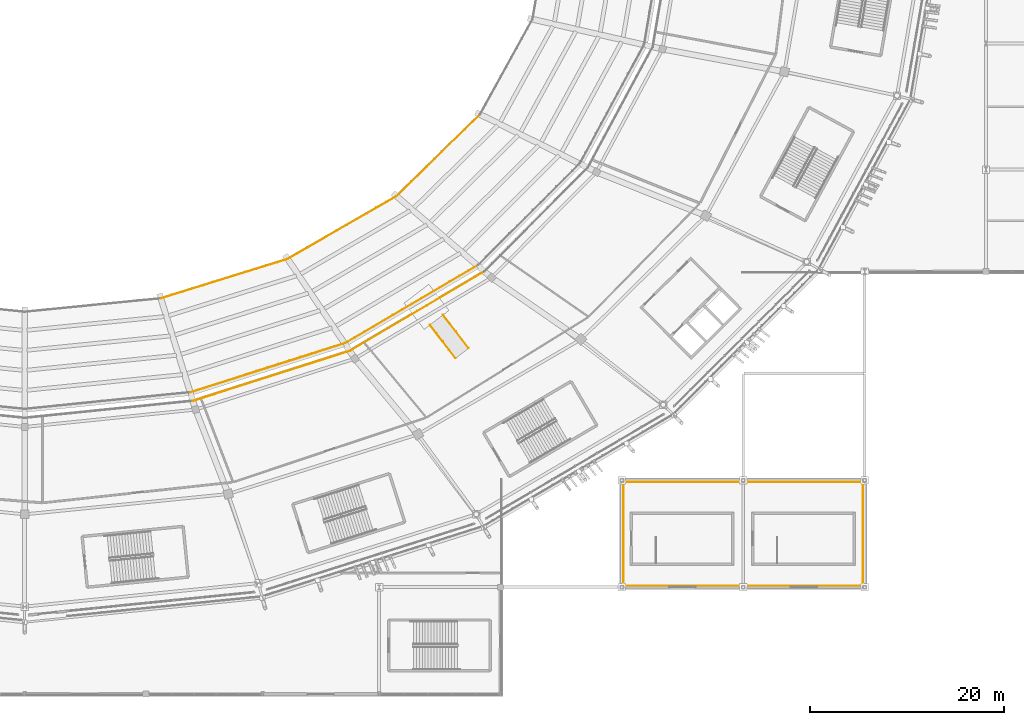
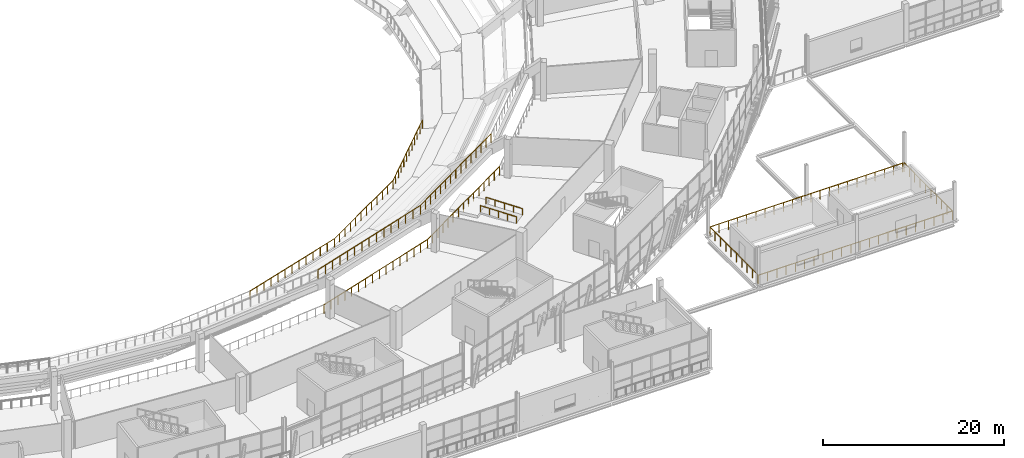
# One storey, part 161 of 178: 11 railings.
"""IFC4 building model written with IfcOpenShell, lengths in metres."""

from ifc_helpers import new_model, si_unit, direction, frame, origin, origin_2d, place, context, subcontext, project, spatial, rectangle, extrude, material, type_object, element, save


model = new_model("IFC4")

# Units and contexts
model_context = context("Model", 3, precision=1e-05, world=origin(), true_north=direction((0.0, 1.0)))
body_context = subcontext(model_context, "Body", "Model", "MODEL_VIEW")
ifc_project = project(units=[si_unit("LENGTHUNIT", "METRE"), si_unit("AREAUNIT", "SQUARE_METRE"), si_unit("VOLUMEUNIT", "CUBIC_METRE"), si_unit("PLANEANGLEUNIT", "RADIAN"), si_unit("MASSUNIT", "GRAM", prefix="KILO")], contexts=[model_context])

# Site, building, storey
site_placement = place(None, origin())
site = spatial("IfcSite", under=ifc_project, at=site_placement, CompositionType="ELEMENT")
building_placement = place(site_placement, origin())
building = spatial("IfcBuilding", under=site, at=building_placement, Name="Zlatoyarsky Gate Stadium", CompositionType="ELEMENT")
storey_placement = place(building_placement, frame((0.0, 0.0, 5.39990234375)))
storey = spatial("IfcBuildingStorey", under=building, at=storey_placement, Name="L01", CompositionType="ELEMENT", Elevation=5.39990234375)

# Railings
ifc_material_1 = material(Name="Galvanised steel sightline guardrail", Category="steel")
railing_type_1 = type_object("IfcRailingType", Name="BOWL FRONT SIGHTLINE GUARDRAIL 1150", PredefinedType="GUARDRAIL", material=ifc_material_1)
railing_1_placement = place(storey_placement, frame((125.01513671875, 40.735107421875, -3.349853515625)))
element("IfcRailing", 1, at=railing_1_placement, inside=storey, type_object=railing_type_1, Name="Lower bowl front guardrail 19", PredefinedType="GUARDRAIL", context=body_context, shape_type="SweptSolid", body=[
    extrude(rectangle(XDim=0.048095703125, YDim=0.048095703125, at=origin_2d()), frame((0.0, 0.0, 1.1259765625), z_axis=(0.954898625262, 0.296932004797, 0.0), x_axis=(-0.296932004797, 0.954898625262, 0.0)), (0.0, 0.0, 1.0), 13.6767578125),
    extrude(rectangle(XDim=0.0419921875, YDim=0.0419921875, at=origin_2d()), origin(), (0.0, 0.0, 1.0), 1.101806640625),
    extrude(rectangle(XDim=0.0419921875, YDim=0.0419921875, at=origin_2d()), frame((1.08837890625, 0.33837890625, 0.0)), (0.0, 0.0, 1.0), 1.101806640625),
    extrude(rectangle(XDim=0.0419921875, YDim=0.0419921875, at=origin_2d()), frame((2.1767578125, 0.6767578125, 0.0)), (0.0, 0.0, 1.0), 1.101806640625),
    extrude(rectangle(XDim=0.0419921875, YDim=0.0419921875, at=origin_2d()), frame((3.264892578125, 1.01513671875, 0.0)), (0.0, 0.0, 1.0), 1.101806640625),
    extrude(rectangle(XDim=0.0419921875, YDim=0.0419921875, at=origin_2d()), frame((4.353271484375, 1.353759765625, 0.0)), (0.0, 0.0, 1.0), 1.101806640625),
    extrude(rectangle(XDim=0.0419921875, YDim=0.0419921875, at=origin_2d()), frame((5.441650390625, 1.692138671875, 0.0)), (0.0, 0.0, 1.0), 1.101806640625),
    extrude(rectangle(XDim=0.0419921875, YDim=0.0419921875, at=origin_2d()), frame((6.52978515625, 2.030517578125, 0.0)), (0.0, 0.0, 1.0), 1.101806640625),
    extrude(rectangle(XDim=0.0419921875, YDim=0.0419921875, at=origin_2d()), frame((7.6181640625, 2.368896484375, 0.0)), (0.0, 0.0, 1.0), 1.101806640625),
    extrude(rectangle(XDim=0.0419921875, YDim=0.0419921875, at=origin_2d()), frame((8.70654296875, 2.707275390625, 0.0)), (0.0, 0.0, 1.0), 1.101806640625),
    extrude(rectangle(XDim=0.0419921875, YDim=0.0419921875, at=origin_2d()), frame((9.794921875, 3.0458984375, 0.0)), (0.0, 0.0, 1.0), 1.101806640625),
    extrude(rectangle(XDim=0.0419921875, YDim=0.0419921875, at=origin_2d()), frame((10.88330078125, 3.38427734375, 0.0)), (0.0, 0.0, 1.0), 1.101806640625),
    extrude(rectangle(XDim=0.0419921875, YDim=0.0419921875, at=origin_2d()), frame((11.971435546875, 3.72265625, 0.0)), (0.0, 0.0, 1.0), 1.101806640625),
    extrude(rectangle(XDim=0.0419921875, YDim=0.0419921875, at=origin_2d()), frame((13.059814453125, 4.06103515625, 0.0)), (0.0, 0.0, 1.0), 1.101806640625),
])
railing_2_placement = place(storey_placement, frame((138.074951171875, 44.796142578125, -3.349853515625)))
element("IfcRailing", 2, at=railing_2_placement, inside=storey, type_object=railing_type_1, Name="Lower bowl front guardrail 20", PredefinedType="GUARDRAIL", context=body_context, shape_type="SweptSolid", body=[
    extrude(rectangle(XDim=0.048095703125, YDim=0.048095703125, at=origin_2d()), frame((0.0, 0.0, 1.1259765625), z_axis=(0.866524556925, 0.499134443057, 0.0), x_axis=(-0.499134443057, 0.866524556925, 0.0)), (0.0, 0.0, 1.0), 12.9423828125),
    extrude(rectangle(XDim=0.0419921875, YDim=0.0419921875, at=origin_2d()), origin(), (0.0, 0.0, 1.0), 1.101806640625),
    extrude(rectangle(XDim=0.0419921875, YDim=0.0419921875, at=origin_2d()), frame((1.01953125, 0.587158203125, 0.0)), (0.0, 0.0, 1.0), 1.101806640625),
    extrude(rectangle(XDim=0.0419921875, YDim=0.0419921875, at=origin_2d()), frame((2.0390625, 1.174560546875, 0.0)), (0.0, 0.0, 1.0), 1.101806640625),
    extrude(rectangle(XDim=0.0419921875, YDim=0.0419921875, at=origin_2d()), frame((3.05859375, 1.76171875, 0.0)), (0.0, 0.0, 1.0), 1.101806640625),
    extrude(rectangle(XDim=0.0419921875, YDim=0.0419921875, at=origin_2d()), frame((4.078125, 2.34912109375, 0.0)), (0.0, 0.0, 1.0), 1.101806640625),
    extrude(rectangle(XDim=0.0419921875, YDim=0.0419921875, at=origin_2d()), frame((5.09765625, 2.936279296875, 0.0)), (0.0, 0.0, 1.0), 1.101806640625),
    extrude(rectangle(XDim=0.0419921875, YDim=0.0419921875, at=origin_2d()), frame((6.1171875, 3.523681640625, 0.0)), (0.0, 0.0, 1.0), 1.101806640625),
    extrude(rectangle(XDim=0.0419921875, YDim=0.0419921875, at=origin_2d()), frame((7.13671875, 4.11083984375, 0.0)), (0.0, 0.0, 1.0), 1.101806640625),
    extrude(rectangle(XDim=0.0419921875, YDim=0.0419921875, at=origin_2d()), frame((8.15625, 4.6982421875, 0.0)), (0.0, 0.0, 1.0), 1.101806640625),
    extrude(rectangle(XDim=0.0419921875, YDim=0.0419921875, at=origin_2d()), frame((9.17578125, 5.285400390625, 0.0)), (0.0, 0.0, 1.0), 1.101806640625),
    extrude(rectangle(XDim=0.0419921875, YDim=0.0419921875, at=origin_2d()), frame((10.1953125, 5.872802734375, 0.0)), (0.0, 0.0, 1.0), 1.101806640625),
    extrude(rectangle(XDim=0.0419921875, YDim=0.0419921875, at=origin_2d()), frame((11.21484375, 6.4599609375, 0.0)), (0.0, 0.0, 1.0), 1.101806640625),
])
railing_3_placement = place(storey_placement, frame((149.289794921875, 51.256103515625, -3.349853515625)))
element("IfcRailing", 3, at=railing_3_placement, inside=storey, type_object=railing_type_1, Name="Lower bowl front guardrail 21", PredefinedType="GUARDRAIL", context=body_context, shape_type="SweptSolid", body=[
    extrude(rectangle(XDim=0.048095703125, YDim=0.048095703125, at=origin_2d()), frame((0.0, 0.0, 1.1259765625), z_axis=(0.714811106108, 0.699317583495, 0.0), x_axis=(-0.699317583495, 0.714811106108, 0.0)), (0.0, 0.0, 1.0), 12.038818359375),
    extrude(rectangle(XDim=0.0419921875, YDim=0.0419921875, at=origin_2d()), origin(), (0.0, 0.0, 1.0), 1.101806640625),
    extrude(rectangle(XDim=0.0419921875, YDim=0.0419921875, at=origin_2d()), frame((0.7822265625, 0.765380859375, 0.0)), (0.0, 0.0, 1.0), 1.101806640625),
    extrude(rectangle(XDim=0.0419921875, YDim=0.0419921875, at=origin_2d()), frame((1.564697265625, 1.53076171875, 0.0)), (0.0, 0.0, 1.0), 1.101806640625),
    extrude(rectangle(XDim=0.0419921875, YDim=0.0419921875, at=origin_2d()), frame((2.346923828125, 2.296142578125, 0.0)), (0.0, 0.0, 1.0), 1.101806640625),
    extrude(rectangle(XDim=0.0419921875, YDim=0.0419921875, at=origin_2d()), frame((3.129150390625, 3.0615234375, 0.0)), (0.0, 0.0, 1.0), 1.101806640625),
    extrude(rectangle(XDim=0.0419921875, YDim=0.0419921875, at=origin_2d()), frame((3.91162109375, 3.826904296875, 0.0)), (0.0, 0.0, 1.0), 1.101806640625),
    extrude(rectangle(XDim=0.0419921875, YDim=0.0419921875, at=origin_2d()), frame((4.69384765625, 4.592041015625, 0.0)), (0.0, 0.0, 1.0), 1.101806640625),
    extrude(rectangle(XDim=0.0419921875, YDim=0.0419921875, at=origin_2d()), frame((5.476318359375, 5.357421875, 0.0)), (0.0, 0.0, 1.0), 1.101806640625),
    extrude(rectangle(XDim=0.0419921875, YDim=0.0419921875, at=origin_2d()), frame((6.258544921875, 6.122802734375, 0.0)), (0.0, 0.0, 1.0), 1.101806640625),
    extrude(rectangle(XDim=0.0419921875, YDim=0.0419921875, at=origin_2d()), frame((7.040771484375, 6.88818359375, 0.0)), (0.0, 0.0, 1.0), 1.101806640625),
    extrude(rectangle(XDim=0.0419921875, YDim=0.0419921875, at=origin_2d()), frame((7.8232421875, 7.653564453125, 0.0)), (0.0, 0.0, 1.0), 1.101806640625),
    extrude(rectangle(XDim=0.0419921875, YDim=0.0419921875, at=origin_2d()), frame((8.60546875, 8.4189453125, 0.0)), (0.0, 0.0, 1.0), 1.101806640625),
])
ifc_material_2 = material(Name="Powder-coated steel tubular guardrail", Category="steel")
railing_type_2 = type_object("IfcRailingType", Name="CONCOURSE SLAB EDGE GUARDRAIL 1200", PredefinedType="GUARDRAIL", material=ifc_material_2)
railing_4_placement = place(storey_placement, frame((128.094970703125, 31.075927734375, 4.25)))
element("IfcRailing", 4, at=railing_4_placement, inside=storey, type_object=railing_type_2, Name="Lower bowl back guardrail 19", PredefinedType="GUARDRAIL", context=body_context, shape_type="SweptSolid", body=[
    extrude(rectangle(XDim=0.048095703125, YDim=0.048095703125, at=origin_2d()), frame((0.0, 0.0, 1.17578125), z_axis=(0.953077784344, 0.302725514269, 0.0), x_axis=(-0.302725514269, 0.953077784344, 0.0)), (0.0, 0.0, 1.0), 16.714111328125),
    extrude(rectangle(XDim=0.0419921875, YDim=0.0419921875, at=origin_2d()), origin(), (0.0, 0.0, 1.0), 1.15185546875),
    extrude(rectangle(XDim=0.0419921875, YDim=0.0419921875, at=origin_2d()), frame((1.137939453125, 0.361328125, 0.0)), (0.0, 0.0, 1.0), 1.15185546875),
    extrude(rectangle(XDim=0.0419921875, YDim=0.0419921875, at=origin_2d()), frame((2.275634765625, 0.722900390625, 0.0)), (0.0, 0.0, 1.0), 1.15185546875),
    extrude(rectangle(XDim=0.0419921875, YDim=0.0419921875, at=origin_2d()), frame((3.41357421875, 1.084228515625, 0.0)), (0.0, 0.0, 1.0), 1.15185546875),
    extrude(rectangle(XDim=0.0419921875, YDim=0.0419921875, at=origin_2d()), frame((4.551513671875, 1.445556640625, 0.0)), (0.0, 0.0, 1.0), 1.15185546875),
    extrude(rectangle(XDim=0.0419921875, YDim=0.0419921875, at=origin_2d()), frame((5.689208984375, 1.80712890625, 0.0)), (0.0, 0.0, 1.0), 1.15185546875),
    extrude(rectangle(XDim=0.0419921875, YDim=0.0419921875, at=origin_2d()), frame((6.8271484375, 2.16845703125, 0.0)), (0.0, 0.0, 1.0), 1.15185546875),
    extrude(rectangle(XDim=0.0419921875, YDim=0.0419921875, at=origin_2d()), frame((7.96484375, 2.52978515625, 0.0)), (0.0, 0.0, 1.0), 1.15185546875),
    extrude(rectangle(XDim=0.0419921875, YDim=0.0419921875, at=origin_2d()), frame((9.102783203125, 2.891357421875, 0.0)), (0.0, 0.0, 1.0), 1.15185546875),
    extrude(rectangle(XDim=0.0419921875, YDim=0.0419921875, at=origin_2d()), frame((10.24072265625, 3.252685546875, 0.0)), (0.0, 0.0, 1.0), 1.15185546875),
    extrude(rectangle(XDim=0.0419921875, YDim=0.0419921875, at=origin_2d()), frame((11.37841796875, 3.6142578125, 0.0)), (0.0, 0.0, 1.0), 1.15185546875),
    extrude(rectangle(XDim=0.0419921875, YDim=0.0419921875, at=origin_2d()), frame((12.516357421875, 3.9755859375, 0.0)), (0.0, 0.0, 1.0), 1.15185546875),
    extrude(rectangle(XDim=0.0419921875, YDim=0.0419921875, at=origin_2d()), frame((13.654296875, 4.3369140625, 0.0)), (0.0, 0.0, 1.0), 1.15185546875),
    extrude(rectangle(XDim=0.0419921875, YDim=0.0419921875, at=origin_2d()), frame((14.7919921875, 4.698486328125, 0.0)), (0.0, 0.0, 1.0), 1.15185546875),
    extrude(rectangle(XDim=0.0419921875, YDim=0.0419921875, at=origin_2d()), frame((15.929931640625, 5.059814453125, 0.0)), (0.0, 0.0, 1.0), 1.15185546875),
])
railing_5_placement = place(storey_placement, frame((128.335693359375, 30.177490234375, 0.0)))
element("IfcRailing", 5, at=railing_5_placement, inside=storey, type_object=railing_type_2, Name="L01 inner bowl edge guardrail 19", PredefinedType="GUARDRAIL", context=body_context, shape_type="SweptSolid", body=[
    extrude(rectangle(XDim=0.048095703125, YDim=0.048095703125, at=origin_2d()), frame((0.0, 0.0, 1.17578125), z_axis=(0.952706937482, 0.303890590958, 0.0), x_axis=(-0.303890590958, 0.952706937482, 0.0)), (0.0, 0.0, 1.0), 16.956298828125),
    extrude(rectangle(XDim=0.0419921875, YDim=0.0419921875, at=origin_2d()), origin(), (0.0, 0.0, 1.0), 1.15185546875),
    extrude(rectangle(XDim=0.0419921875, YDim=0.0419921875, at=origin_2d()), frame((1.076904296875, 0.343505859375, 0.0)), (0.0, 0.0, 1.0), 1.15185546875),
    extrude(rectangle(XDim=0.0419921875, YDim=0.0419921875, at=origin_2d()), frame((2.15380859375, 0.68701171875, 0.0)), (0.0, 0.0, 1.0), 1.15185546875),
    extrude(rectangle(XDim=0.0419921875, YDim=0.0419921875, at=origin_2d()), frame((3.23095703125, 1.030517578125, 0.0)), (0.0, 0.0, 1.0), 1.15185546875),
    extrude(rectangle(XDim=0.0419921875, YDim=0.0419921875, at=origin_2d()), frame((4.307861328125, 1.3740234375, 0.0)), (0.0, 0.0, 1.0), 1.15185546875),
    extrude(rectangle(XDim=0.0419921875, YDim=0.0419921875, at=origin_2d()), frame((5.384765625, 1.717529296875, 0.0)), (0.0, 0.0, 1.0), 1.15185546875),
    extrude(rectangle(XDim=0.0419921875, YDim=0.0419921875, at=origin_2d()), frame((6.461669921875, 2.06103515625, 0.0)), (0.0, 0.0, 1.0), 1.15185546875),
    extrude(rectangle(XDim=0.0419921875, YDim=0.0419921875, at=origin_2d()), frame((7.53857421875, 2.404541015625, 0.0)), (0.0, 0.0, 1.0), 1.15185546875),
    extrude(rectangle(XDim=0.0419921875, YDim=0.0419921875, at=origin_2d()), frame((8.61572265625, 2.748291015625, 0.0)), (0.0, 0.0, 1.0), 1.15185546875),
    extrude(rectangle(XDim=0.0419921875, YDim=0.0419921875, at=origin_2d()), frame((9.692626953125, 3.091796875, 0.0)), (0.0, 0.0, 1.0), 1.15185546875),
    extrude(rectangle(XDim=0.0419921875, YDim=0.0419921875, at=origin_2d()), frame((10.76953125, 3.435302734375, 0.0)), (0.0, 0.0, 1.0), 1.15185546875),
    extrude(rectangle(XDim=0.0419921875, YDim=0.0419921875, at=origin_2d()), frame((11.846435546875, 3.77880859375, 0.0)), (0.0, 0.0, 1.0), 1.15185546875),
    extrude(rectangle(XDim=0.0419921875, YDim=0.0419921875, at=origin_2d()), frame((12.92333984375, 4.122314453125, 0.0)), (0.0, 0.0, 1.0), 1.15185546875),
    extrude(rectangle(XDim=0.0419921875, YDim=0.0419921875, at=origin_2d()), frame((14.00048828125, 4.4658203125, 0.0)), (0.0, 0.0, 1.0), 1.15185546875),
    extrude(rectangle(XDim=0.0419921875, YDim=0.0419921875, at=origin_2d()), frame((15.077392578125, 4.809326171875, 0.0)), (0.0, 0.0, 1.0), 1.15185546875),
    extrude(rectangle(XDim=0.0419921875, YDim=0.0419921875, at=origin_2d()), frame((16.154296875, 5.15283203125, 0.0)), (0.0, 0.0, 1.0), 1.15185546875),
])
railing_6_placement = place(storey_placement, frame((144.02490234375, 36.1357421875, 4.25)))
element("IfcRailing", 6, at=railing_6_placement, inside=storey, type_object=railing_type_2, Name="Lower bowl back guardrail 20", PredefinedType="GUARDRAIL", context=body_context, shape_type="SweptSolid", body=[
    extrude(rectangle(XDim=0.048095703125, YDim=0.048095703125, at=origin_2d()), frame((0.0, 0.0, 1.17578125), z_axis=(0.861863030795, 0.507141120546, 0.0), x_axis=(-0.507141120546, 0.861863030795, 0.0)), (0.0, 0.0, 1.0), 15.871826171875),
    extrude(rectangle(XDim=0.0419921875, YDim=0.0419921875, at=origin_2d()), origin(), (0.0, 0.0, 1.0), 1.15185546875),
    extrude(rectangle(XDim=0.0419921875, YDim=0.0419921875, at=origin_2d()), frame((0.97705078125, 0.574951171875, 0.0)), (0.0, 0.0, 1.0), 1.15185546875),
    extrude(rectangle(XDim=0.0419921875, YDim=0.0419921875, at=origin_2d()), frame((1.9541015625, 1.14990234375, 0.0)), (0.0, 0.0, 1.0), 1.15185546875),
    extrude(rectangle(XDim=0.0419921875, YDim=0.0419921875, at=origin_2d()), frame((2.931396484375, 1.724853515625, 0.0)), (0.0, 0.0, 1.0), 1.15185546875),
    extrude(rectangle(XDim=0.0419921875, YDim=0.0419921875, at=origin_2d()), frame((3.908447265625, 2.2998046875, 0.0)), (0.0, 0.0, 1.0), 1.15185546875),
    extrude(rectangle(XDim=0.0419921875, YDim=0.0419921875, at=origin_2d()), frame((4.885498046875, 2.874755859375, 0.0)), (0.0, 0.0, 1.0), 1.15185546875),
    extrude(rectangle(XDim=0.0419921875, YDim=0.0419921875, at=origin_2d()), frame((5.862548828125, 3.44970703125, 0.0)), (0.0, 0.0, 1.0), 1.15185546875),
    extrude(rectangle(XDim=0.0419921875, YDim=0.0419921875, at=origin_2d()), frame((6.83984375, 4.024658203125, 0.0)), (0.0, 0.0, 1.0), 1.15185546875),
    extrude(rectangle(XDim=0.0419921875, YDim=0.0419921875, at=origin_2d()), frame((7.81689453125, 4.599609375, 0.0)), (0.0, 0.0, 1.0), 1.15185546875),
    extrude(rectangle(XDim=0.0419921875, YDim=0.0419921875, at=origin_2d()), frame((8.7939453125, 5.174560546875, 0.0)), (0.0, 0.0, 1.0), 1.15185546875),
    extrude(rectangle(XDim=0.0419921875, YDim=0.0419921875, at=origin_2d()), frame((9.77099609375, 5.74951171875, 0.0)), (0.0, 0.0, 1.0), 1.15185546875),
    extrude(rectangle(XDim=0.0419921875, YDim=0.0419921875, at=origin_2d()), frame((10.748046875, 6.324462890625, 0.0)), (0.0, 0.0, 1.0), 1.15185546875),
    extrude(rectangle(XDim=0.0419921875, YDim=0.0419921875, at=origin_2d()), frame((11.725341796875, 6.8994140625, 0.0)), (0.0, 0.0, 1.0), 1.15185546875),
    extrude(rectangle(XDim=0.0419921875, YDim=0.0419921875, at=origin_2d()), frame((12.702392578125, 7.474365234375, 0.0)), (0.0, 0.0, 1.0), 1.15185546875),
    extrude(rectangle(XDim=0.0419921875, YDim=0.0419921875, at=origin_2d()), frame((13.679443359375, 8.04931640625, 0.0)), (0.0, 0.0, 1.0), 1.15185546875),
])
railing_7_placement = place(storey_placement, frame((144.489990234375, 35.330322265625, 0.0)))
element("IfcRailing", 7, at=railing_7_placement, inside=storey, type_object=railing_type_2, Name="L01 inner bowl edge guardrail 20", PredefinedType="GUARDRAIL", context=body_context, shape_type="SweptSolid", body=[
    extrude(rectangle(XDim=0.048095703125, YDim=0.048095703125, at=origin_2d()), frame((0.0, 0.0, 1.17578125), z_axis=(0.860929544652, 0.508724207351, 0.0), x_axis=(-0.508724207351, 0.860929544652, 0.0)), (0.0, 0.0, 1.0), 16.11279296875),
    extrude(rectangle(XDim=0.0419921875, YDim=0.0419921875, at=origin_2d()), origin(), (0.0, 0.0, 1.0), 1.15185546875),
    extrude(rectangle(XDim=0.0419921875, YDim=0.0419921875, at=origin_2d()), frame((0.990966796875, 0.58544921875, 0.0)), (0.0, 0.0, 1.0), 1.15185546875),
    extrude(rectangle(XDim=0.0419921875, YDim=0.0419921875, at=origin_2d()), frame((1.981689453125, 1.1708984375, 0.0)), (0.0, 0.0, 1.0), 1.15185546875),
    extrude(rectangle(XDim=0.0419921875, YDim=0.0419921875, at=origin_2d()), frame((2.97265625, 1.756591796875, 0.0)), (0.0, 0.0, 1.0), 1.15185546875),
    extrude(rectangle(XDim=0.0419921875, YDim=0.0419921875, at=origin_2d()), frame((3.96337890625, 2.342041015625, 0.0)), (0.0, 0.0, 1.0), 1.15185546875),
    extrude(rectangle(XDim=0.0419921875, YDim=0.0419921875, at=origin_2d()), frame((4.954345703125, 2.927490234375, 0.0)), (0.0, 0.0, 1.0), 1.15185546875),
    extrude(rectangle(XDim=0.0419921875, YDim=0.0419921875, at=origin_2d()), frame((5.945068359375, 3.512939453125, 0.0)), (0.0, 0.0, 1.0), 1.15185546875),
    extrude(rectangle(XDim=0.0419921875, YDim=0.0419921875, at=origin_2d()), frame((6.93603515625, 4.0986328125, 0.0)), (0.0, 0.0, 1.0), 1.15185546875),
    extrude(rectangle(XDim=0.0419921875, YDim=0.0419921875, at=origin_2d()), frame((7.927001953125, 4.68408203125, 0.0)), (0.0, 0.0, 1.0), 1.15185546875),
    extrude(rectangle(XDim=0.0419921875, YDim=0.0419921875, at=origin_2d()), frame((8.917724609375, 5.26953125, 0.0)), (0.0, 0.0, 1.0), 1.15185546875),
    extrude(rectangle(XDim=0.0419921875, YDim=0.0419921875, at=origin_2d()), frame((9.90869140625, 5.85498046875, 0.0)), (0.0, 0.0, 1.0), 1.15185546875),
    extrude(rectangle(XDim=0.0419921875, YDim=0.0419921875, at=origin_2d()), frame((10.8994140625, 6.4404296875, 0.0)), (0.0, 0.0, 1.0), 1.15185546875),
    extrude(rectangle(XDim=0.0419921875, YDim=0.0419921875, at=origin_2d()), frame((11.890380859375, 7.026123046875, 0.0)), (0.0, 0.0, 1.0), 1.15185546875),
    extrude(rectangle(XDim=0.0419921875, YDim=0.0419921875, at=origin_2d()), frame((12.881103515625, 7.611572265625, 0.0)), (0.0, 0.0, 1.0), 1.15185546875),
    extrude(rectangle(XDim=0.0419921875, YDim=0.0419921875, at=origin_2d()), frame((13.8720703125, 8.197021484375, 0.0)), (0.0, 0.0, 1.0), 1.15185546875),
])
railing_8_placement = place(storey_placement, frame((172.64990234375, 11.14990234375, 0.0)))
element("IfcRailing", 8, at=railing_8_placement, inside=storey, type_object=railing_type_2, Name="V6_SE L01 portico perimeter guardrail A", PredefinedType="GUARDRAIL", context=body_context, shape_type="SweptSolid", body=[
    extrude(rectangle(XDim=0.048095703125, YDim=0.048095703125, at=origin_2d()), frame((0.0, 0.0, 1.17578125), z_axis=(1.0, 0.0, 0.0), x_axis=(0.0, 1.0, 0.0)), (0.0, 0.0, 1.0), 24.7001953125),
    extrude(rectangle(XDim=0.048095703125, YDim=0.048095703125, at=origin_2d()), frame((24.7001953125, 0.0, 1.17578125), z_axis=(0.0, 1.0, 0.0), x_axis=(-1.0, 0.0, 0.0)), (0.0, 0.0, 1.0), 10.7001953125),
    extrude(rectangle(XDim=0.0419921875, YDim=0.0419921875, at=origin_2d()), origin(), (0.0, 0.0, 1.0), 1.15185546875),
    extrude(rectangle(XDim=0.0419921875, YDim=0.0419921875, at=origin_2d()), frame((1.17626953125, 0.0, 0.0)), (0.0, 0.0, 1.0), 1.15185546875),
    extrude(rectangle(XDim=0.0419921875, YDim=0.0419921875, at=origin_2d()), frame((2.352294921875, 0.0, 0.0)), (0.0, 0.0, 1.0), 1.15185546875),
    extrude(rectangle(XDim=0.0419921875, YDim=0.0419921875, at=origin_2d()), frame((3.528564453125, 0.0, 0.0)), (0.0, 0.0, 1.0), 1.15185546875),
    extrude(rectangle(XDim=0.0419921875, YDim=0.0419921875, at=origin_2d()), frame((4.704833984375, 0.0, 0.0)), (0.0, 0.0, 1.0), 1.15185546875),
    extrude(rectangle(XDim=0.0419921875, YDim=0.0419921875, at=origin_2d()), frame((5.881103515625, 0.0, 0.0)), (0.0, 0.0, 1.0), 1.15185546875),
    extrude(rectangle(XDim=0.0419921875, YDim=0.0419921875, at=origin_2d()), frame((7.05712890625, 0.0, 0.0)), (0.0, 0.0, 1.0), 1.15185546875),
    extrude(rectangle(XDim=0.0419921875, YDim=0.0419921875, at=origin_2d()), frame((8.2333984375, 0.0, 0.0)), (0.0, 0.0, 1.0), 1.15185546875),
    extrude(rectangle(XDim=0.0419921875, YDim=0.0419921875, at=origin_2d()), frame((9.40966796875, 0.0, 0.0)), (0.0, 0.0, 1.0), 1.15185546875),
    extrude(rectangle(XDim=0.0419921875, YDim=0.0419921875, at=origin_2d()), frame((10.585693359375, 0.0, 0.0)), (0.0, 0.0, 1.0), 1.15185546875),
    extrude(rectangle(XDim=0.0419921875, YDim=0.0419921875, at=origin_2d()), frame((11.761962890625, 0.0, 0.0)), (0.0, 0.0, 1.0), 1.15185546875),
    extrude(rectangle(XDim=0.0419921875, YDim=0.0419921875, at=origin_2d()), frame((12.938232421875, 0.0, 0.0)), (0.0, 0.0, 1.0), 1.15185546875),
    extrude(rectangle(XDim=0.0419921875, YDim=0.0419921875, at=origin_2d()), frame((14.114501953125, 0.0, 0.0)), (0.0, 0.0, 1.0), 1.15185546875),
    extrude(rectangle(XDim=0.0419921875, YDim=0.0419921875, at=origin_2d()), frame((15.29052734375, 0.0, 0.0)), (0.0, 0.0, 1.0), 1.15185546875),
    extrude(rectangle(XDim=0.0419921875, YDim=0.0419921875, at=origin_2d()), frame((16.466796875, 0.0, 0.0)), (0.0, 0.0, 1.0), 1.15185546875),
    extrude(rectangle(XDim=0.0419921875, YDim=0.0419921875, at=origin_2d()), frame((17.64306640625, 0.0, 0.0)), (0.0, 0.0, 1.0), 1.15185546875),
    extrude(rectangle(XDim=0.0419921875, YDim=0.0419921875, at=origin_2d()), frame((18.819091796875, 0.0, 0.0)), (0.0, 0.0, 1.0), 1.15185546875),
    extrude(rectangle(XDim=0.0419921875, YDim=0.0419921875, at=origin_2d()), frame((19.995361328125, 0.0, 0.0)), (0.0, 0.0, 1.0), 1.15185546875),
    extrude(rectangle(XDim=0.0419921875, YDim=0.0419921875, at=origin_2d()), frame((21.171630859375, 0.0, 0.0)), (0.0, 0.0, 1.0), 1.15185546875),
    extrude(rectangle(XDim=0.0419921875, YDim=0.0419921875, at=origin_2d()), frame((22.347900390625, 0.0, 0.0)), (0.0, 0.0, 1.0), 1.15185546875),
    extrude(rectangle(XDim=0.0419921875, YDim=0.0419921875, at=origin_2d()), frame((23.52392578125, 0.0, 0.0)), (0.0, 0.0, 1.0), 1.15185546875),
    extrude(rectangle(XDim=0.0419921875, YDim=0.0419921875, at=origin_2d()), frame((24.7001953125, 0.0, 0.0)), (0.0, 0.0, 1.0), 1.15185546875),
    extrude(rectangle(XDim=0.0419921875, YDim=0.0419921875, at=origin_2d()), frame((24.7001953125, 1.18896484375, 0.0)), (0.0, 0.0, 1.0), 1.15185546875),
    extrude(rectangle(XDim=0.0419921875, YDim=0.0419921875, at=origin_2d()), frame((24.7001953125, 2.3779296875, 0.0)), (0.0, 0.0, 1.0), 1.15185546875),
    extrude(rectangle(XDim=0.0419921875, YDim=0.0419921875, at=origin_2d()), frame((24.7001953125, 3.566650390625, 0.0)), (0.0, 0.0, 1.0), 1.15185546875),
    extrude(rectangle(XDim=0.0419921875, YDim=0.0419921875, at=origin_2d()), frame((24.7001953125, 4.755615234375, 0.0)), (0.0, 0.0, 1.0), 1.15185546875),
    extrude(rectangle(XDim=0.0419921875, YDim=0.0419921875, at=origin_2d()), frame((24.7001953125, 5.944580078125, 0.0)), (0.0, 0.0, 1.0), 1.15185546875),
    extrude(rectangle(XDim=0.0419921875, YDim=0.0419921875, at=origin_2d()), frame((24.7001953125, 7.133544921875, 0.0)), (0.0, 0.0, 1.0), 1.15185546875),
    extrude(rectangle(XDim=0.0419921875, YDim=0.0419921875, at=origin_2d()), frame((24.7001953125, 8.322265625, 0.0)), (0.0, 0.0, 1.0), 1.15185546875),
    extrude(rectangle(XDim=0.0419921875, YDim=0.0419921875, at=origin_2d()), frame((24.7001953125, 9.51123046875, 0.0)), (0.0, 0.0, 1.0), 1.15185546875),
    extrude(rectangle(XDim=0.0419921875, YDim=0.0419921875, at=origin_2d()), frame((24.7001953125, 10.7001953125, 0.0)), (0.0, 0.0, 1.0), 1.15185546875),
])
railing_9_placement = place(storey_placement, frame((197.199951171875, 21.85009765625, 0.0)))
element("IfcRailing", 9, at=railing_9_placement, inside=storey, type_object=railing_type_2, Name="V6_SE L01 portico perimeter guardrail B", PredefinedType="GUARDRAIL", context=body_context, shape_type="SweptSolid", body=[
    extrude(rectangle(XDim=0.048095703125, YDim=0.048095703125, at=origin_2d()), frame((0.0, 0.0, 1.17578125), z_axis=(-1.0, 0.0, 0.0), x_axis=(0.0, -1.0, 0.0)), (0.0, 0.0, 1.0), 24.550048828125),
    extrude(rectangle(XDim=0.048095703125, YDim=0.048095703125, at=origin_2d()), frame((-24.550048828125, 0.0, 1.17578125), z_axis=(0.0, -1.0, 0.0), x_axis=(1.0, 0.0, 0.0)), (0.0, 0.0, 1.0), 10.550048828125),
    extrude(rectangle(XDim=0.0419921875, YDim=0.0419921875, at=origin_2d()), origin(), (0.0, 0.0, 1.0), 1.15185546875),
    extrude(rectangle(XDim=0.0419921875, YDim=0.0419921875, at=origin_2d()), frame((-1.1689453125, 0.0, 0.0)), (0.0, 0.0, 1.0), 1.15185546875),
    extrude(rectangle(XDim=0.0419921875, YDim=0.0419921875, at=origin_2d()), frame((-2.338134765625, 0.0, 0.0)), (0.0, 0.0, 1.0), 1.15185546875),
    extrude(rectangle(XDim=0.0419921875, YDim=0.0419921875, at=origin_2d()), frame((-3.507080078125, 0.0, 0.0)), (0.0, 0.0, 1.0), 1.15185546875),
    extrude(rectangle(XDim=0.0419921875, YDim=0.0419921875, at=origin_2d()), frame((-4.67626953125, 0.0, 0.0)), (0.0, 0.0, 1.0), 1.15185546875),
    extrude(rectangle(XDim=0.0419921875, YDim=0.0419921875, at=origin_2d()), frame((-5.84521484375, 0.0, 0.0)), (0.0, 0.0, 1.0), 1.15185546875),
    extrude(rectangle(XDim=0.0419921875, YDim=0.0419921875, at=origin_2d()), frame((-7.014404296875, 0.0, 0.0)), (0.0, 0.0, 1.0), 1.15185546875),
    extrude(rectangle(XDim=0.0419921875, YDim=0.0419921875, at=origin_2d()), frame((-8.183349609375, 0.0, 0.0)), (0.0, 0.0, 1.0), 1.15185546875),
    extrude(rectangle(XDim=0.0419921875, YDim=0.0419921875, at=origin_2d()), frame((-9.352294921875, 0.0, 0.0)), (0.0, 0.0, 1.0), 1.15185546875),
    extrude(rectangle(XDim=0.0419921875, YDim=0.0419921875, at=origin_2d()), frame((-10.521484375, 0.0, 0.0)), (0.0, 0.0, 1.0), 1.15185546875),
    extrude(rectangle(XDim=0.0419921875, YDim=0.0419921875, at=origin_2d()), frame((-11.6904296875, 0.0, 0.0)), (0.0, 0.0, 1.0), 1.15185546875),
    extrude(rectangle(XDim=0.0419921875, YDim=0.0419921875, at=origin_2d()), frame((-12.859619140625, 0.0, 0.0)), (0.0, 0.0, 1.0), 1.15185546875),
    extrude(rectangle(XDim=0.0419921875, YDim=0.0419921875, at=origin_2d()), frame((-14.028564453125, 0.0, 0.0)), (0.0, 0.0, 1.0), 1.15185546875),
    extrude(rectangle(XDim=0.0419921875, YDim=0.0419921875, at=origin_2d()), frame((-15.19775390625, 0.0, 0.0)), (0.0, 0.0, 1.0), 1.15185546875),
    extrude(rectangle(XDim=0.0419921875, YDim=0.0419921875, at=origin_2d()), frame((-16.36669921875, 0.0, 0.0)), (0.0, 0.0, 1.0), 1.15185546875),
    extrude(rectangle(XDim=0.0419921875, YDim=0.0419921875, at=origin_2d()), frame((-17.53564453125, 0.0, 0.0)), (0.0, 0.0, 1.0), 1.15185546875),
    extrude(rectangle(XDim=0.0419921875, YDim=0.0419921875, at=origin_2d()), frame((-18.704833984375, 0.0, 0.0)), (0.0, 0.0, 1.0), 1.15185546875),
    extrude(rectangle(XDim=0.0419921875, YDim=0.0419921875, at=origin_2d()), frame((-19.873779296875, 0.0, 0.0)), (0.0, 0.0, 1.0), 1.15185546875),
    extrude(rectangle(XDim=0.0419921875, YDim=0.0419921875, at=origin_2d()), frame((-21.04296875, 0.0, 0.0)), (0.0, 0.0, 1.0), 1.15185546875),
    extrude(rectangle(XDim=0.0419921875, YDim=0.0419921875, at=origin_2d()), frame((-22.2119140625, 0.0, 0.0)), (0.0, 0.0, 1.0), 1.15185546875),
    extrude(rectangle(XDim=0.0419921875, YDim=0.0419921875, at=origin_2d()), frame((-23.381103515625, 0.0, 0.0)), (0.0, 0.0, 1.0), 1.15185546875),
    extrude(rectangle(XDim=0.0419921875, YDim=0.0419921875, at=origin_2d()), frame((-24.550048828125, 0.0, 0.0)), (0.0, 0.0, 1.0), 1.15185546875),
    extrude(rectangle(XDim=0.0419921875, YDim=0.0419921875, at=origin_2d()), frame((-24.550048828125, -1.172119140625, 0.0)), (0.0, 0.0, 1.0), 1.15185546875),
    extrude(rectangle(XDim=0.0419921875, YDim=0.0419921875, at=origin_2d()), frame((-24.550048828125, -2.344482421875, 0.0)), (0.0, 0.0, 1.0), 1.15185546875),
    extrude(rectangle(XDim=0.0419921875, YDim=0.0419921875, at=origin_2d()), frame((-24.550048828125, -3.5166015625, 0.0)), (0.0, 0.0, 1.0), 1.15185546875),
    extrude(rectangle(XDim=0.0419921875, YDim=0.0419921875, at=origin_2d()), frame((-24.550048828125, -4.68896484375, 0.0)), (0.0, 0.0, 1.0), 1.15185546875),
    extrude(rectangle(XDim=0.0419921875, YDim=0.0419921875, at=origin_2d()), frame((-24.550048828125, -5.861083984375, 0.0)), (0.0, 0.0, 1.0), 1.15185546875),
    extrude(rectangle(XDim=0.0419921875, YDim=0.0419921875, at=origin_2d()), frame((-24.550048828125, -7.033447265625, 0.0)), (0.0, 0.0, 1.0), 1.15185546875),
    extrude(rectangle(XDim=0.0419921875, YDim=0.0419921875, at=origin_2d()), frame((-24.550048828125, -8.20556640625, 0.0)), (0.0, 0.0, 1.0), 1.15185546875),
    extrude(rectangle(XDim=0.0419921875, YDim=0.0419921875, at=origin_2d()), frame((-24.550048828125, -9.3779296875, 0.0)), (0.0, 0.0, 1.0), 1.15185546875),
    extrude(rectangle(XDim=0.0419921875, YDim=0.0419921875, at=origin_2d()), frame((-24.550048828125, -10.550048828125, 0.0)), (0.0, 0.0, 1.0), 1.15185546875),
])
ifc_material_3 = material(Name="Brushed stainless steel 316 handrail", Category="steel")
railing_type_3 = type_object("IfcRailingType", Name="STAINLESS STEEL TUBULAR HANDRAIL 900", PredefinedType="HANDRAIL", material=ifc_material_3)
railing_10_placement = place(storey_placement, frame((155.37353515625, 34.57861328125, 0.0)))
element("IfcRailing", 10, at=railing_10_placement, inside=storey, type_object=railing_type_3, Name="AR-04 accessible ramp handrail L", PredefinedType="HANDRAIL", context=body_context, shape_type="SweptSolid", body=[
    extrude(rectangle(XDim=0.048095703125, YDim=0.048095703125, at=origin_2d()), frame((0.0, 0.0, 0.8759765625), z_axis=(-0.606631116135, 0.790631102804, 0.083073149782), x_axis=(-0.793373436144, -0.608735238688, 0.0)), (0.0, 0.0, 1.0), 4.334716796875),
    extrude(rectangle(XDim=0.0419921875, YDim=0.0419921875, at=origin_2d()), origin(), (0.0, 0.0, 1.0), 0.851806640625),
    extrude(rectangle(XDim=0.0419921875, YDim=0.0419921875, at=origin_2d()), frame((-0.657470703125, 0.85693359375, 0.090087890625)), (0.0, 0.0, 1.0), 0.851806640625),
    extrude(rectangle(XDim=0.0419921875, YDim=0.0419921875, at=origin_2d()), frame((-1.31494140625, 1.713623046875, 0.18017578125)), (0.0, 0.0, 1.0), 0.851806640625),
    extrude(rectangle(XDim=0.0419921875, YDim=0.0419921875, at=origin_2d()), frame((-1.97216796875, 2.5703125, 0.27001953125)), (0.0, 0.0, 1.0), 0.851806640625),
    extrude(rectangle(XDim=0.0419921875, YDim=0.0419921875, at=origin_2d()), frame((-2.629638671875, 3.42724609375, 0.360107421875)), (0.0, 0.0, 1.0), 0.851806640625),
])
railing_11_placement = place(storey_placement, frame((156.722412109375, 35.61328125, 0.0)))
element("IfcRailing", 11, at=railing_11_placement, inside=storey, type_object=railing_type_3, Name="AR-04 accessible ramp handrail R", PredefinedType="HANDRAIL", context=body_context, shape_type="SweptSolid", body=[
    extrude(rectangle(XDim=0.048095703125, YDim=0.048095703125, at=origin_2d()), frame((0.0, 0.0, 0.8759765625), z_axis=(-0.60663969742, 0.790625205355, 0.083066612857), x_axis=(-0.79336708443, -0.60874351688, 0.0)), (0.0, 0.0, 1.0), 4.335205078125),
    extrude(rectangle(XDim=0.0419921875, YDim=0.0419921875, at=origin_2d()), origin(), (0.0, 0.0, 1.0), 0.851806640625),
    extrude(rectangle(XDim=0.0419921875, YDim=0.0419921875, at=origin_2d()), frame((-0.657470703125, 0.85693359375, 0.090087890625)), (0.0, 0.0, 1.0), 0.851806640625),
    extrude(rectangle(XDim=0.0419921875, YDim=0.0419921875, at=origin_2d()), frame((-1.31494140625, 1.7138671875, 0.18017578125)), (0.0, 0.0, 1.0), 0.851806640625),
    extrude(rectangle(XDim=0.0419921875, YDim=0.0419921875, at=origin_2d()), frame((-1.972412109375, 2.570556640625, 0.27001953125)), (0.0, 0.0, 1.0), 0.851806640625),
    extrude(rectangle(XDim=0.0419921875, YDim=0.0419921875, at=origin_2d()), frame((-2.6298828125, 3.427490234375, 0.360107421875)), (0.0, 0.0, 1.0), 0.851806640625),
])

save(model, "model.ifc")
